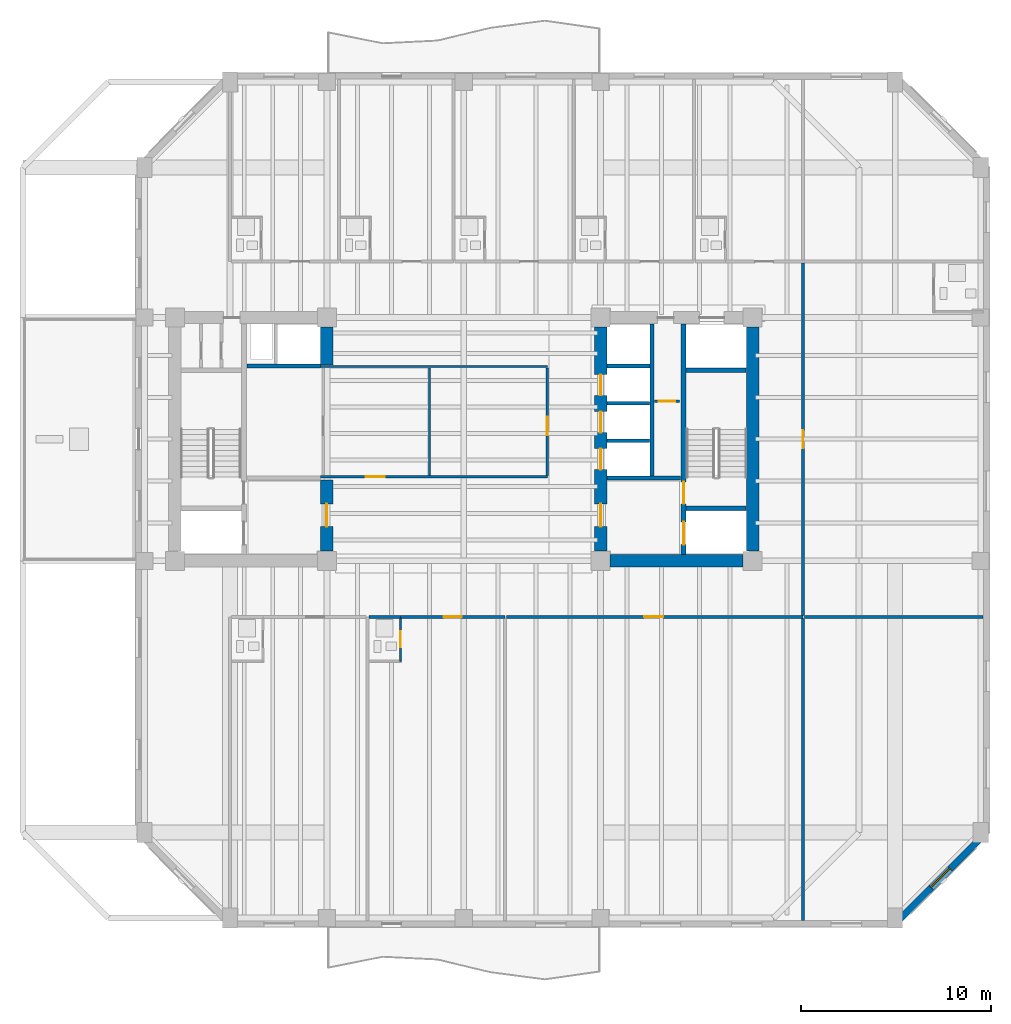
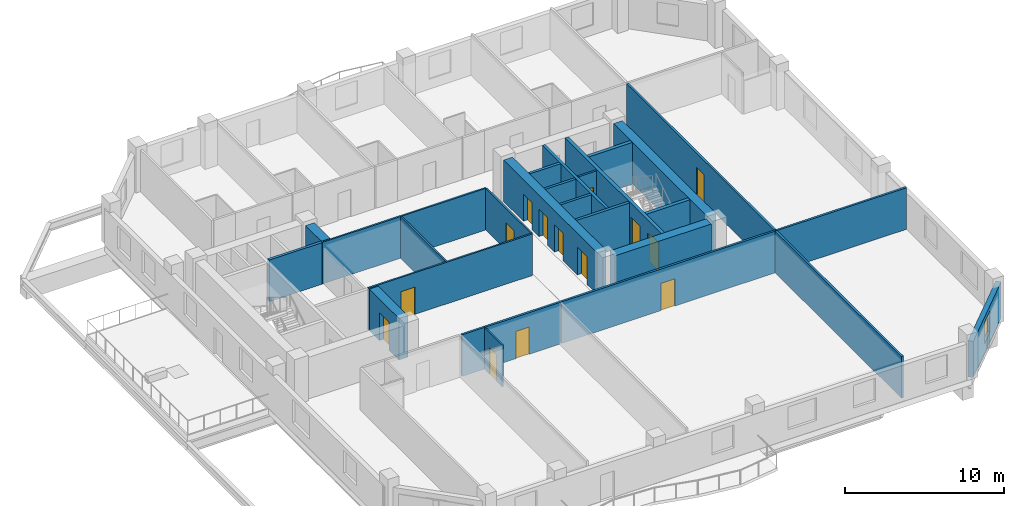
# One storey, part 4 of 11: 27 walls, 14 doors, 1 window, 15 openings.
"""IFC4 building model written with IfcOpenShell, lengths in metres."""

from ifc_helpers import new_model, si_unit, direction, frame, frame_2d, origin, place, context, subcontext, project, spatial, rectangle, extrude, material, layer, layer_set, type_object, element, fill, save


model = new_model("IFC4")

# Units and contexts
model_context = context("Model", 3, precision=1e-05, world=origin(), true_north=direction((0.0, 1.0)))
body_context = subcontext(model_context, "Body", "Model", "MODEL_VIEW")
ifc_project = project(units=[si_unit("LENGTHUNIT", "METRE"), si_unit("AREAUNIT", "SQUARE_METRE"), si_unit("VOLUMEUNIT", "CUBIC_METRE"), si_unit("PLANEANGLEUNIT", "RADIAN"), si_unit("MASSUNIT", "GRAM", prefix="KILO")], contexts=[model_context])

# Site, building, storey
site_placement = place(None, origin())
site = spatial("IfcSite", under=ifc_project, at=site_placement, CompositionType="ELEMENT")
building_placement = place(site_placement, origin())
building = spatial("IfcBuilding", under=site, at=building_placement, Name="Kranthara Brick Stack", CompositionType="ELEMENT")
storey_placement = place(building_placement, frame((0.0, 0.0, 141.300048828125)))
storey = spatial("IfcBuildingStorey", under=building, at=storey_placement, Name="L35", CompositionType="ELEMENT", Elevation=141.300048828125)

# Wall, opening, window
ifc_material_1 = material(Name="Kiln-fired clay brick masonry M15", Category="masonry")
ifc_layer_1 = layer(ifc_material_1, 0.35009765625)
ifc_layer_set_1 = layer_set([ifc_layer_1], Name="Kiln-fired clay brick masonry M15")
wall_type_1 = type_object("IfcWallType", Name="WL-BRK-SPND-350", PredefinedType="STANDARD", material=ifc_layer_set_1)
wall_1_placement = place(storey_placement, frame((55.5048828125, 6.5, 0.0), z_axis=(0.0, 0.0, 1.0), x_axis=(-0.707106781187, -0.707106781187, 0.0)))
wall_1 = element("IfcWall", 1, at=wall_1_placement, inside=storey, type_object=wall_type_1, Name="L35 Exterior Brick Facade Wall SE 1", PredefinedType="STANDARD", context=body_context, shape_type="SweptSolid", body=[
    extrude(rectangle(XDim=6.795166015625, YDim=0.35009765625, at=frame_2d((3.3974609375, 0.0))), origin(), (0.0, 0.0, 1.0), 2.784912109375),
])
opening_1_placement = place(wall_1_placement, frame((2.697998046875, 0.0, 0.75)))
opening_1 = element("IfcOpeningElement", 2, at=opening_1_placement, cuts=wall_1, Name="Opening WN10", PredefinedType="OPENING", context=body_context, shape_type="SweptSolid", body=[
    extrude(rectangle(XDim=1.39990234375, YDim=1.64990234375, at=frame_2d((0.699951171875, 0.824951171875))), frame((0.0, 0.18505859375, 0.0), z_axis=(0.0, -1.0, 0.0), x_axis=(1.0, 0.0, 0.0)), (0.0, 0.0, 1.0), 0.3701171875),
])
ifc_material_2 = material(Name="Double-glazed low-E solar control glass", Category="glass")
window_type = type_object("IfcWindowType", Name="WN-CHM-1400x1750", PartitioningType="SINGLE_PANEL", PredefinedType="WINDOW", material=ifc_material_2)
window_placement = place(opening_1_placement, origin())
window = element("IfcWindow", 3, at=window_placement, inside=storey, type_object=window_type, Name="L35 SE Chamfer Corner Window", OverallHeight=1.64990234375, OverallWidth=1.39990234375, PartitioningType="SINGLE_PANEL", PredefinedType="WINDOW", context=body_context, shape_type="SweptSolid", body=[
    extrude(rectangle(XDim=1.39990234375, YDim=1.64990234375, at=frame_2d((0.699951171875, 0.824951171875))), frame((0.0, -0.010009765625, 0.0), z_axis=(0.0, -1.0, 0.0), x_axis=(1.0, 0.0, 0.0)), (0.0, 0.0, 1.0), 0.06005859375),
])
fill(opening_1, window)

# Wall, openings, doors
ifc_material_3 = material(Name="Concrete C50/60", Category="concrete")
ifc_layer_2 = layer(ifc_material_3, 0.25)
ifc_layer_set_2 = layer_set([ifc_layer_2], Name="Concrete C50/60")
wall_type_2 = type_object("IfcWallType", Name="WL-CORE-250", PredefinedType="SHEAR", material=ifc_layer_set_2)
wall_2_placement = place(storey_placement, frame((39.56494140625, 21.135009765625, 0.0), z_axis=(0.0, 0.0, 1.0), x_axis=(0.0, 1.0, 0.0)))
wall_2 = element("IfcWall", 4, at=wall_2_placement, inside=storey, type_object=wall_type_2, Name="L35 East Core Stair Bearing Spine Wall", PredefinedType="SHEAR", context=body_context, shape_type="SweptSolid", body=[
    extrude(rectangle(XDim=12.1298828125, YDim=0.25, at=frame_2d((6.06494140625, 0.0))), origin(), (0.0, 0.0, 1.0), 3.199951171875),
])
opening_2_placement = place(wall_2_placement, frame((0.514892578125, 0.0, 0.0)))
opening_2 = element("IfcOpeningElement", 5, at=opening_2_placement, cuts=wall_2, Name="Opening LD01", PredefinedType="OPENING", context=body_context, shape_type="SweptSolid", body=[
    extrude(rectangle(XDim=1.199951171875, YDim=2.14990234375, at=frame_2d((0.60009765625, 1.074951171875))), frame((0.0, 0.135009765625, 0.0), z_axis=(0.0, -1.0, 0.0), x_axis=(1.0, 0.0, 0.0)), (0.0, 0.0, 1.0), 0.27001953125),
])
opening_3_placement = place(wall_2_placement, frame((2.6650390625, 0.0, 0.0)))
opening_3 = element("IfcOpeningElement", 6, at=opening_3_placement, cuts=wall_2, Name="Opening D05", PredefinedType="OPENING", context=body_context, shape_type="SweptSolid", body=[
    extrude(rectangle(XDim=1.14990234375, YDim=2.14990234375, at=frame_2d((0.574951171875, 1.074951171875))), frame((0.0, 0.135009765625, 0.0), z_axis=(0.0, -1.0, 0.0), x_axis=(1.0, 0.0, 0.0)), (0.0, 0.0, 1.0), 0.27001953125),
])
ifc_material_4 = material(Name="Stainless steel sliding landing door", Category="steel")
door_type_1 = type_object("IfcDoorType", Name="DR-LD-FF1200", OperationType="DOUBLE_DOOR_SLIDING", PredefinedType="DOOR", material=ifc_material_4)
door_1_placement = place(opening_2_placement, origin())
door_1 = element("IfcDoor", 7, at=door_1_placement, inside=storey, type_object=door_type_1, Name="L35 Firefighting Lift FF-02 Landing Door", OperationType="DOUBLE_DOOR_SLIDING", OverallHeight=2.14990234375, OverallWidth=1.199951171875, PredefinedType="DOOR", context=body_context, shape_type="SweptSolid", body=[
    extrude(rectangle(XDim=1.199951171875, YDim=2.14990234375, at=frame_2d((0.60009765625, 1.074951171875))), frame((0.0, 0.02490234375, 0.0), z_axis=(0.0, -1.0, 0.0), x_axis=(1.0, 0.0, 0.0)), (0.0, 0.0, 1.0), 0.050048828125),
])
fill(opening_2, door_1)
ifc_material_5 = material(Name="Solid-core hardwood timber leaf in steel frame", Category="steel")
door_type_2 = type_object("IfcDoorType", Name="DR-ST-1150", OperationType="NOTDEFINED", PredefinedType="DOOR", material=ifc_material_5)
door_2_placement = place(opening_3_placement, origin())
door_2 = element("IfcDoor", 8, at=door_2_placement, inside=storey, type_object=door_type_2, Name="L35 Exit Stair ST02 Door", OperationType="SINGLE_SWING_LEFT", OverallHeight=2.14990234375, OverallWidth=1.14990234375, PredefinedType="DOOR", context=body_context, shape_type="SweptSolid", body=[
    extrude(rectangle(XDim=1.14990234375, YDim=2.14990234375, at=frame_2d((0.574951171875, 1.074951171875))), frame((0.0, 0.02490234375, 0.0), z_axis=(0.0, -1.0, 0.0), x_axis=(1.0, 0.0, 0.0)), (0.0, 0.0, 1.0), 0.050048828125),
])
fill(opening_3, door_2)

# Walls
for number, where, z_axis, x_axis, name in (
    (9, (39.68994140625, 23.570068359375, 0.0), (0.0, 0.0, 1.0), (1.0, 0.0, 0.0), "L35 East Stairwell Bearing Wall EFF"),
    (10, (39.68994140625, 30.830078125, 0.0), (0.0, 0.0, 1.0), (1.0, 0.0, 0.0), "L35 East Stairwell Bearing Wall EST"),
):
    element("IfcWall", number, at=place(storey_placement, frame(where, z_axis=z_axis, x_axis=x_axis)), inside=storey, type_object=wall_type_2, Name=name, PredefinedType="SHEAR", context=body_context, shape_type="SweptSolid", body=[
        extrude(rectangle(XDim=3.175048828125, YDim=0.25, at=frame_2d((1.58740234375, 0.0))), origin(), (0.0, 0.0, 1.0), 3.199951171875),
    ])

# Wall, opening, door
ifc_material_6 = material(Name="Concrete C60/75", Category="concrete")
ifc_layer_3 = layer(ifc_material_6, 0.64990234375)
ifc_layer_set_3 = layer_set([ifc_layer_3], Name="Concrete C60/75")
wall_type_3 = type_object("IfcWallType", Name="WL-CORE-650", PredefinedType="SHEAR", material=ifc_layer_set_3)
wall_3_placement = place(storey_placement, frame((20.800048828125, 21.304931640625, 0.0), z_axis=(0.0, 0.0, 1.0), x_axis=(0.0, 1.0, 0.0)))
wall_3 = element("IfcWall", 11, at=wall_3_placement, inside=storey, type_object=wall_type_3, Name="L35 West Core Lobby Shear Wall", PredefinedType="SHEAR", context=body_context, shape_type="SweptSolid", body=[
    extrude(rectangle(XDim=3.7451171875, YDim=0.64990234375, at=frame_2d((1.87255859375, 0.0))), origin(), (0.0, 0.0, 1.0), 3.199951171875),
])
opening_4_placement = place(wall_3_placement, frame((1.294921875, 0.0, 0.0)))
opening_4 = element("IfcOpeningElement", 12, at=opening_4_placement, cuts=wall_3, Name="Opening D06", PredefinedType="OPENING", context=body_context, shape_type="SweptSolid", body=[
    extrude(rectangle(XDim=1.199951171875, YDim=2.14990234375, at=frame_2d((0.60009765625, 1.074951171875))), frame((0.0, 0.3349609375, 0.0), z_axis=(0.0, -1.0, 0.0), x_axis=(1.0, 0.0, 0.0)), (0.0, 0.0, 1.0), 0.669921875),
])
ifc_material_7 = material(Name="Solid-core hardwood timber leaf in steel frame", Category="steel")
door_type_3 = type_object("IfcDoorType", Name="DR-FFL-1200", OperationType="NOTDEFINED", PredefinedType="DOOR", material=ifc_material_7)
door_3_placement = place(opening_4_placement, origin())
door_3 = element("IfcDoor", 13, at=door_3_placement, inside=storey, type_object=door_type_3, Name="L35 West Firefighting Lobby Door", OperationType="SINGLE_SWING_LEFT", OverallHeight=2.14990234375, OverallWidth=1.199951171875, PredefinedType="DOOR", context=body_context, shape_type="SweptSolid", body=[
    extrude(rectangle(XDim=1.199951171875, YDim=2.14990234375, at=frame_2d((0.60009765625, 1.074951171875))), frame((0.0, 0.02490234375, 0.0), z_axis=(0.0, -1.0, 0.0), x_axis=(1.0, 0.0, 0.0)), (0.0, 0.0, 1.0), 0.050048828125),
])
fill(opening_4, door_3)

# Walls
wall_4_placement = place(storey_placement, frame((20.800048828125, 31.10009765625, 0.0), z_axis=(0.0, 0.0, 1.0), x_axis=(0.0, 1.0, 0.0)))
element("IfcWall", 14, at=wall_4_placement, inside=storey, type_object=wall_type_3, Name="L35 West Core High-Rise Lift Wall", PredefinedType="SHEAR", context=body_context, shape_type="SweptSolid", body=[
    extrude(rectangle(XDim=1.994873046875, YDim=0.64990234375, at=frame_2d((0.99755859375, 0.0))), origin(), (0.0, 0.0, 1.0), 3.199951171875),
])
wall_5_placement = place(storey_placement, frame((43.199951171875, 21.304931640625, 0.0), z_axis=(0.0, 0.0, 1.0), x_axis=(0.0, 1.0, 0.0)))
element("IfcWall", 15, at=wall_5_placement, inside=storey, type_object=wall_type_3, Name="L35 East Core Shear Wall East", PredefinedType="SHEAR", context=body_context, shape_type="SweptSolid", body=[
    extrude(rectangle(XDim=11.7900390625, YDim=0.64990234375, at=frame_2d((5.89501953125, 0.0))), origin(), (0.0, 0.0, 1.0), 3.199951171875),
])
wall_6_placement = place(storey_placement, frame((35.705078125, 20.800048828125, 0.0), z_axis=(0.0, 0.0, 1.0), x_axis=(1.0, 0.0, 0.0)))
element("IfcWall", 16, at=wall_6_placement, inside=storey, type_object=wall_type_3, Name="L35 East Core Shear Wall South", PredefinedType="SHEAR", context=body_context, shape_type="SweptSolid", body=[
    extrude(rectangle(XDim=6.989990234375, YDim=0.64990234375, at=frame_2d((3.4951171875, 0.0))), origin(), (0.0, 0.0, 1.0), 3.199951171875),
])

# Wall, openings, doors
wall_7_placement = place(storey_placement, frame((35.199951171875, 21.304931640625, 0.0), z_axis=(0.0, 0.0, 1.0), x_axis=(0.0, 1.0, 0.0)))
wall_7 = element("IfcWall", 17, at=wall_7_placement, inside=storey, type_object=wall_type_3, Name="L35 East Core Shear Wall West", PredefinedType="SHEAR", context=body_context, shape_type="SweptSolid", body=[
    extrude(rectangle(XDim=11.7900390625, YDim=0.64990234375, at=frame_2d((5.89501953125, 0.0))), origin(), (0.0, 0.0, 1.0), 3.199951171875),
])
opening_5_placement = place(wall_7_placement, frame((1.294921875, 0.0, 0.0)))
opening_5 = element("IfcOpeningElement", 18, at=opening_5_placement, cuts=wall_7, Name="Opening D06", PredefinedType="OPENING", context=body_context, shape_type="SweptSolid", body=[
    extrude(rectangle(XDim=1.199951171875, YDim=2.14990234375, at=frame_2d((0.60009765625, 1.074951171875))), frame((0.0, 0.3349609375, 0.0), z_axis=(0.0, -1.0, 0.0), x_axis=(1.0, 0.0, 0.0)), (0.0, 0.0, 1.0), 0.669921875),
])
opening_6_placement = place(wall_7_placement, frame((4.294921875, 0.0, 0.0)))
opening_6 = element("IfcOpeningElement", 19, at=opening_6_placement, cuts=wall_7, Name="Opening LD02", PredefinedType="OPENING", context=body_context, shape_type="SweptSolid", body=[
    extrude(rectangle(XDim=1.10009765625, YDim=2.10009765625, at=frame_2d((0.550048828125, 1.050048828125))), frame((0.0, 0.3349609375, 0.0), z_axis=(0.0, -1.0, 0.0), x_axis=(1.0, 0.0, 0.0)), (0.0, 0.0, 1.0), 0.669921875),
])
opening_7_placement = place(wall_7_placement, frame((6.2451171875, 0.0, 0.0)))
opening_7 = element("IfcOpeningElement", 20, at=opening_7_placement, cuts=wall_7, Name="Opening LD02", PredefinedType="OPENING", context=body_context, shape_type="SweptSolid", body=[
    extrude(rectangle(XDim=1.10009765625, YDim=2.10009765625, at=frame_2d((0.550048828125, 1.050048828125))), frame((0.0, 0.3349609375, 0.0), z_axis=(0.0, -1.0, 0.0), x_axis=(1.0, 0.0, 0.0)), (0.0, 0.0, 1.0), 0.669921875),
])
opening_8_placement = place(wall_7_placement, frame((8.195068359375, 0.0, 0.0)))
opening_8 = element("IfcOpeningElement", 21, at=opening_8_placement, cuts=wall_7, Name="Opening LD02", PredefinedType="OPENING", context=body_context, shape_type="SweptSolid", body=[
    extrude(rectangle(XDim=1.10009765625, YDim=2.10009765625, at=frame_2d((0.550048828125, 1.050048828125))), frame((0.0, 0.3349609375, 0.0), z_axis=(0.0, -1.0, 0.0), x_axis=(1.0, 0.0, 0.0)), (0.0, 0.0, 1.0), 0.669921875),
])
door_4_placement = place(opening_5_placement, origin())
door_4 = element("IfcDoor", 22, at=door_4_placement, inside=storey, type_object=door_type_3, Name="L35 East Firefighting Lobby Door", OperationType="SINGLE_SWING_RIGHT", OverallHeight=2.14990234375, OverallWidth=1.199951171875, PredefinedType="DOOR", context=body_context, shape_type="SweptSolid", body=[
    extrude(rectangle(XDim=1.199951171875, YDim=2.14990234375, at=frame_2d((0.60009765625, 1.074951171875))), frame((0.0, 0.02490234375, 0.0), z_axis=(0.0, -1.0, 0.0), x_axis=(1.0, 0.0, 0.0)), (0.0, 0.0, 1.0), 0.050048828125),
])
fill(opening_5, door_4)
ifc_material_8 = material(Name="Stainless steel sliding landing door", Category="steel")
door_type_4 = type_object("IfcDoorType", Name="DR-LD-PL1100", OperationType="DOUBLE_DOOR_SLIDING", PredefinedType="DOOR", material=ifc_material_8)
door_5_placement = place(opening_6_placement, origin())
door_5 = element("IfcDoor", 23, at=door_5_placement, inside=storey, type_object=door_type_4, Name="L35 PL-04 Lift Landing Door", OperationType="DOUBLE_DOOR_SLIDING", OverallHeight=2.10009765625, OverallWidth=1.10009765625, PredefinedType="DOOR", context=body_context, shape_type="SweptSolid", body=[
    extrude(rectangle(XDim=1.10009765625, YDim=2.10009765625, at=frame_2d((0.550048828125, 1.050048828125))), frame((0.0, 0.02490234375, 0.0), z_axis=(0.0, -1.0, 0.0), x_axis=(1.0, 0.0, 0.0)), (0.0, 0.0, 1.0), 0.050048828125),
])
fill(opening_6, door_5)
door_6_placement = place(opening_7_placement, origin())
door_6 = element("IfcDoor", 24, at=door_6_placement, inside=storey, type_object=door_type_4, Name="L35 PL-05 Lift Landing Door", OperationType="DOUBLE_DOOR_SLIDING", OverallHeight=2.10009765625, OverallWidth=1.10009765625, PredefinedType="DOOR", context=body_context, shape_type="SweptSolid", body=[
    extrude(rectangle(XDim=1.10009765625, YDim=2.10009765625, at=frame_2d((0.550048828125, 1.050048828125))), frame((0.0, 0.02490234375, 0.0), z_axis=(0.0, -1.0, 0.0), x_axis=(1.0, 0.0, 0.0)), (0.0, 0.0, 1.0), 0.050048828125),
])
fill(opening_7, door_6)
door_7_placement = place(opening_8_placement, origin())
door_7 = element("IfcDoor", 25, at=door_7_placement, inside=storey, type_object=door_type_4, Name="L35 PL-06 Lift Landing Door", OperationType="DOUBLE_DOOR_SLIDING", OverallHeight=2.10009765625, OverallWidth=1.10009765625, PredefinedType="DOOR", context=body_context, shape_type="SweptSolid", body=[
    extrude(rectangle(XDim=1.10009765625, YDim=2.10009765625, at=frame_2d((0.550048828125, 1.050048828125))), frame((0.0, 0.02490234375, 0.0), z_axis=(0.0, -1.0, 0.0), x_axis=(1.0, 0.0, 0.0)), (0.0, 0.0, 1.0), 0.050048828125),
])
fill(opening_8, door_7)

# Wall, opening, door
ifc_material_9 = material(Name="Moisture-resistant wet-room partition", Category="other")
ifc_layer_4 = layer(ifc_material_9, 0.10009765625)
ifc_layer_set_4 = layer_set([ifc_layer_4], Name="Moisture-resistant wet-room partition")
wall_type_4 = type_object("IfcWallType", Name="WL-PART-100", PredefinedType="PARTITIONING", material=ifc_layer_set_4)
wall_8_placement = place(storey_placement, frame((24.672607421875, 15.52001953125, 0.0), z_axis=(0.0, 0.0, 1.0), x_axis=(0.0, 1.0, 0.0)))
wall_8 = element("IfcWall", 26, at=wall_8_placement, inside=storey, type_object=wall_type_4, Name="L35 Interior Partition 017", PredefinedType="PARTITIONING", context=body_context, shape_type="SweptSolid", body=[
    extrude(rectangle(XDim=2.25, YDim=0.10009765625, at=frame_2d((1.125, 0.0))), origin(), (0.0, 0.0, 1.0), 3.199951171875),
])
opening_9_placement = place(wall_8_placement, frame((0.719970703125, 0.0, 0.0)))
opening_9 = element("IfcOpeningElement", 27, at=opening_9_placement, cuts=wall_8, Name="Opening D17", PredefinedType="OPENING", context=body_context, shape_type="SweptSolid", body=[
    extrude(rectangle(XDim=0.85009765625, YDim=2.050048828125, at=frame_2d((0.425048828125, 1.02490234375))), frame((0.0, 0.06005859375, 0.0), z_axis=(0.0, -1.0, 0.0), x_axis=(1.0, 0.0, 0.0)), (0.0, 0.0, 1.0), 0.1201171875),
])
ifc_material_10 = material(Name="Solid-core hardwood timber leaf in steel frame", Category="steel")
door_type_5 = type_object("IfcDoorType", Name="DR-WET-850", OperationType="NOTDEFINED", PredefinedType="DOOR", material=ifc_material_10)
door_8_placement = place(opening_9_placement, origin())
door_8 = element("IfcDoor", 28, at=door_8_placement, inside=storey, type_object=door_type_5, Name="L35 Key 02 En-Suite Door 09", OperationType="SINGLE_SWING_LEFT", OverallHeight=2.050048828125, OverallWidth=0.85009765625, PredefinedType="DOOR", context=body_context, shape_type="SweptSolid", body=[
    extrude(rectangle(XDim=0.85009765625, YDim=2.050048828125, at=frame_2d((0.425048828125, 1.02490234375))), frame((0.0, 0.02490234375, 0.0), z_axis=(0.0, -1.0, 0.0), x_axis=(1.0, 0.0, 0.0)), (0.0, 0.0, 1.0), 0.050048828125),
])
fill(opening_9, door_8)

ifc_material_11 = material(Name="Acoustic gypsum plasterboard partition", Category="other")
ifc_layer_5 = layer(ifc_material_11, 0.1201171875)
ifc_layer_set_5 = layer_set([ifc_layer_5], Name="Acoustic gypsum plasterboard partition")
wall_type_5 = type_object("IfcWallType", Name="WL-PART-120", PredefinedType="PARTITIONING", material=ifc_layer_set_5)
wall_9_placement = place(storey_placement, frame((20.4599609375, 25.219970703125, 0.0), z_axis=(0.0, 0.0, 1.0), x_axis=(1.0, 0.0, 0.0)))
wall_9 = element("IfcWall", 29, at=wall_9_placement, inside=storey, type_object=wall_type_5, Name="L35 Interior Partition 004", PredefinedType="PARTITIONING", context=body_context, shape_type="SweptSolid", body=[
    extrude(rectangle(XDim=11.93994140625, YDim=0.1201171875, at=frame_2d((5.969970703125, 0.0))), origin(), (0.0, 0.0, 1.0), 3.199951171875),
])
opening_10_placement = place(wall_9_placement, frame((2.389892578125, 0.0, 0.0)))
opening_10 = element("IfcOpeningElement", 30, at=opening_10_placement, cuts=wall_9, Name="Opening D13", PredefinedType="OPENING", context=body_context, shape_type="SweptSolid", body=[
    extrude(rectangle(XDim=1.0, YDim=2.10009765625, at=frame_2d((0.5, 1.050048828125))), frame((0.0, 0.070068359375, 0.0), z_axis=(0.0, -1.0, 0.0), x_axis=(1.0, 0.0, 0.0)), (0.0, 0.0, 1.0), 0.14013671875),
])
ifc_material_12 = material(Name="Solid-core hardwood timber leaf in steel frame", Category="steel")
door_type_6 = type_object("IfcDoorType", Name="DR-INT-1000", OperationType="NOTDEFINED", PredefinedType="DOOR", material=ifc_material_12)
door_9_placement = place(opening_10_placement, origin())
door_9 = element("IfcDoor", 31, at=door_9_placement, inside=storey, type_object=door_type_6, Name="L35 Tea Salon Door 05", OperationType="SINGLE_SWING_LEFT", OverallHeight=2.10009765625, OverallWidth=1.0, PredefinedType="DOOR", context=body_context, shape_type="SweptSolid", body=[
    extrude(rectangle(XDim=1.0, YDim=2.10009765625, at=frame_2d((0.5, 1.050048828125))), frame((0.0, 0.02490234375, 0.0), z_axis=(0.0, -1.0, 0.0), x_axis=(1.0, 0.0, 0.0)), (0.0, 0.0, 1.0), 0.050048828125),
])
fill(opening_10, door_9)

# Wall
wall_10_placement = place(storey_placement, frame((20.4599609375, 31.02001953125, 0.0), z_axis=(0.0, 0.0, 1.0), x_axis=(1.0, 0.0, 0.0)))
element("IfcWall", 32, at=wall_10_placement, inside=storey, type_object=wall_type_5, Name="L35 Interior Partition 005", PredefinedType="PARTITIONING", context=body_context, shape_type="SweptSolid", body=[
    extrude(rectangle(XDim=11.93994140625, YDim=0.1201171875, at=frame_2d((5.969970703125, 0.0))), origin(), (0.0, 0.0, 1.0), 3.199951171875),
])

# Wall, opening, door
wall_11_placement = place(storey_placement, frame((32.39990234375, 25.284912109375, 0.0), z_axis=(0.0, 0.0, 1.0), x_axis=(0.0, 1.0, 0.0)))
wall_11 = element("IfcWall", 33, at=wall_11_placement, inside=storey, type_object=wall_type_5, Name="L35 Interior Partition 006", PredefinedType="PARTITIONING", context=body_context, shape_type="SweptSolid", body=[
    extrude(rectangle(XDim=5.670166015625, YDim=0.1201171875, at=frame_2d((2.8349609375, 0.0))), origin(), (0.0, 0.0, 1.0), 3.199951171875),
])
opening_11_placement = place(wall_11_placement, frame((2.135009765625, 0.0, 0.0)))
opening_11 = element("IfcOpeningElement", 34, at=opening_11_placement, cuts=wall_11, Name="Opening D14", PredefinedType="OPENING", context=body_context, shape_type="SweptSolid", body=[
    extrude(rectangle(XDim=0.949951171875, YDim=2.10009765625, at=frame_2d((0.47509765625, 1.050048828125))), frame((0.0, 0.070068359375, 0.0), z_axis=(0.0, -1.0, 0.0), x_axis=(1.0, 0.0, 0.0)), (0.0, 0.0, 1.0), 0.14013671875),
])
ifc_material_13 = material(Name="Solid-core hardwood timber leaf in steel frame", Category="steel")
door_type_7 = type_object("IfcDoorType", Name="DR-INT-950", OperationType="NOTDEFINED", PredefinedType="DOOR", material=ifc_material_13)
door_10_placement = place(opening_11_placement, origin())
door_10 = element("IfcDoor", 35, at=door_10_placement, inside=storey, type_object=door_type_7, Name="L35 Housekeeping Linen Door 06", OperationType="SINGLE_SWING_RIGHT", OverallHeight=2.10009765625, OverallWidth=0.949951171875, PredefinedType="DOOR", context=body_context, shape_type="SweptSolid", body=[
    extrude(rectangle(XDim=0.949951171875, YDim=2.10009765625, at=frame_2d((0.47509765625, 1.050048828125))), frame((0.0, 0.02490234375, 0.0), z_axis=(0.0, -1.0, 0.0), x_axis=(1.0, 0.0, 0.0)), (0.0, 0.0, 1.0), 0.050048828125),
])
fill(opening_11, door_10)

# Wall
wall_12_placement = place(storey_placement, frame((26.199951171875, 25.284912109375, 0.0), z_axis=(0.0, 0.0, 1.0), x_axis=(0.0, 1.0, 0.0)))
element("IfcWall", 36, at=wall_12_placement, inside=storey, type_object=wall_type_5, Name="L35 Interior Partition 008", PredefinedType="PARTITIONING", context=body_context, shape_type="SweptSolid", body=[
    extrude(rectangle(XDim=5.670166015625, YDim=0.1201171875, at=frame_2d((2.8349609375, 0.0))), origin(), (0.0, 0.0, 1.0), 3.199951171875),
])

# Wall, opening, door
ifc_material_14 = material(Name="Fire-rated gypsum board partition", Category="other")
ifc_layer_6 = layer(ifc_material_14, 0.14990234375)
ifc_layer_set_6 = layer_set([ifc_layer_6], Name="Fire-rated gypsum board partition")
wall_type_6 = type_object("IfcWallType", Name="WL-PART-150", PredefinedType="PARTITIONING", material=ifc_layer_set_6)
wall_13_placement = place(storey_placement, frame((38.050048828125, 29.199951171875, 0.0), z_axis=(0.0, 0.0, 1.0), x_axis=(1.0, 0.0, 0.0)))
wall_13 = element("IfcWall", 37, at=wall_13_placement, inside=storey, type_object=wall_type_6, Name="L35 Interior Partition 003", PredefinedType="PARTITIONING", context=body_context, shape_type="SweptSolid", body=[
    extrude(rectangle(XDim=1.300048828125, YDim=0.14990234375, at=frame_2d((0.64990234375, 0.0))), origin(), (0.0, 0.0, 1.0), 3.199951171875),
])
opening_12_placement = place(wall_13_placement, frame((0.219970703125, 0.0, 0.0)))
opening_12 = element("IfcOpeningElement", 38, at=opening_12_placement, cuts=wall_13, Name="Opening D10", PredefinedType="OPENING", context=body_context, shape_type="SweptSolid", body=[
    extrude(rectangle(XDim=0.85009765625, YDim=2.02001953125, at=frame_2d((0.425048828125, 1.010009765625))), frame((0.0, 0.0849609375, 0.0), z_axis=(0.0, -1.0, 0.0), x_axis=(1.0, 0.0, 0.0)), (0.0, 0.0, 1.0), 0.169921875),
])
ifc_material_15 = material(Name="Solid-core hardwood timber leaf in steel frame", Category="steel")
door_type_8 = type_object("IfcDoorType", Name="DR-RSR-850", OperationType="NOTDEFINED", PredefinedType="DOOR", material=ifc_material_15)
door_11_placement = place(opening_12_placement, origin())
door_11 = element("IfcDoor", 39, at=door_11_placement, inside=storey, type_object=door_type_8, Name="L35 East Service Door 03", OperationType="SINGLE_SWING_LEFT", OverallHeight=2.02001953125, OverallWidth=0.85009765625, PredefinedType="DOOR", context=body_context, shape_type="SweptSolid", body=[
    extrude(rectangle(XDim=0.85009765625, YDim=2.02001953125, at=frame_2d((0.425048828125, 1.010009765625))), frame((0.0, 0.02490234375, 0.0), z_axis=(0.0, -1.0, 0.0), x_axis=(1.0, 0.0, 0.0)), (0.0, 0.0, 1.0), 0.050048828125),
])
fill(opening_12, door_11)

# Wall
wall_14_placement = place(storey_placement, frame((23.01611328125, 17.85009765625, 0.0), z_axis=(0.0, 0.0, 1.0), x_axis=(1.0, 0.0, 0.0)))
element("IfcWall", 40, at=wall_14_placement, inside=storey, type_object=wall_type_6, Name="L35 Interior Partition 015", PredefinedType="PARTITIONING", context=body_context, shape_type="SweptSolid", body=[
    extrude(rectangle(XDim=1.656494140625, YDim=0.14990234375, at=frame_2d((0.828125, 0.0))), origin(), (0.0, 0.0, 1.0), 3.199951171875),
])

# Wall, opening, door
wall_15_placement = place(storey_placement, frame((24.672607421875, 17.85009765625, 0.0), z_axis=(0.0, 0.0, 1.0), x_axis=(1.0, 0.0, 0.0)))
wall_15 = element("IfcWall", 41, at=wall_15_placement, inside=storey, type_object=wall_type_6, Name="L35 Interior Partition 016", PredefinedType="PARTITIONING", context=body_context, shape_type="SweptSolid", body=[
    extrude(rectangle(XDim=5.49951171875, YDim=0.14990234375, at=frame_2d((2.749755859375, 0.0))), origin(), (0.0, 0.0, 1.0), 3.199951171875),
])
opening_13_placement = place(wall_15_placement, frame((2.27001953125, 0.0, 0.0)))
opening_13 = element("IfcOpeningElement", 42, at=opening_13_placement, cuts=wall_15, Name="Opening D09", PredefinedType="OPENING", context=body_context, shape_type="SweptSolid", body=[
    extrude(rectangle(XDim=0.949951171875, YDim=2.10009765625, at=frame_2d((0.47509765625, 1.050048828125))), frame((0.0, 0.0849609375, 0.0), z_axis=(0.0, -1.0, 0.0), x_axis=(1.0, 0.0, 0.0)), (0.0, 0.0, 1.0), 0.169921875),
])
ifc_material_16 = material(Name="Solid-core hardwood timber leaf in steel frame", Category="steel")
door_type_9 = type_object("IfcDoorType", Name="DR-FD-950", OperationType="NOTDEFINED", PredefinedType="DOOR", material=ifc_material_16)
door_12_placement = place(opening_13_placement, origin())
door_12 = element("IfcDoor", 43, at=door_12_placement, inside=storey, type_object=door_type_9, Name="L35 Key 02 Entry 10", OperationType="SINGLE_SWING_RIGHT", OverallHeight=2.10009765625, OverallWidth=0.949951171875, PredefinedType="DOOR", context=body_context, shape_type="SweptSolid", body=[
    extrude(rectangle(XDim=0.949951171875, YDim=2.10009765625, at=frame_2d((0.47509765625, 1.050048828125))), frame((0.0, 0.02490234375, 0.0), z_axis=(0.0, -1.0, 0.0), x_axis=(1.0, 0.0, 0.0)), (0.0, 0.0, 1.0), 0.050048828125),
])
fill(opening_13, door_12)

wall_16_placement = place(storey_placement, frame((30.251953125, 17.85009765625, 0.0), z_axis=(0.0, 0.0, 1.0), x_axis=(1.0, 0.0, 0.0)))
wall_16 = element("IfcWall", 44, at=wall_16_placement, inside=storey, type_object=wall_type_6, Name="L35 Interior Partition 020", PredefinedType="PARTITIONING", context=body_context, shape_type="SweptSolid", body=[
    extrude(rectangle(XDim=15.59814453125, YDim=0.14990234375, at=frame_2d((7.799072265625, 0.0))), origin(), (0.0, 0.0, 1.0), 3.199951171875),
])
opening_14_placement = place(wall_16_placement, frame((7.239013671875, 0.0, 0.0)))
opening_14 = element("IfcOpeningElement", 45, at=opening_14_placement, cuts=wall_16, Name="Opening D08", PredefinedType="OPENING", context=body_context, shape_type="SweptSolid", body=[
    extrude(rectangle(XDim=1.0, YDim=2.10009765625, at=frame_2d((0.5, 1.050048828125))), frame((0.0, 0.0849609375, 0.0), z_axis=(0.0, -1.0, 0.0), x_axis=(1.0, 0.0, 0.0)), (0.0, 0.0, 1.0), 0.169921875),
])
ifc_material_17 = material(Name="Solid-core hardwood timber leaf in steel frame", Category="steel")
door_type_10 = type_object("IfcDoorType", Name="DR-FD-1000", OperationType="NOTDEFINED", PredefinedType="DOOR", material=ifc_material_17)
door_13_placement = place(opening_14_placement, origin())
door_13 = element("IfcDoor", 46, at=door_13_placement, inside=storey, type_object=door_type_10, Name="L35 Guest Lounge 11", OperationType="SINGLE_SWING_LEFT", OverallHeight=2.10009765625, OverallWidth=1.0, PredefinedType="DOOR", context=body_context, shape_type="SweptSolid", body=[
    extrude(rectangle(XDim=1.0, YDim=2.10009765625, at=frame_2d((0.5, 1.050048828125))), frame((0.0, 0.02490234375, 0.0), z_axis=(0.0, -1.0, 0.0), x_axis=(1.0, 0.0, 0.0)), (0.0, 0.0, 1.0), 0.050048828125),
])
fill(opening_14, door_13)

# Walls
wall_17_placement = place(storey_placement, frame((45.85009765625, 1.875, 0.0), z_axis=(0.0, 0.0, 1.0), x_axis=(0.0, 1.0, 0.0)))
element("IfcWall", 47, at=wall_17_placement, inside=storey, type_object=wall_type_6, Name="L35 Interior Partition 021", PredefinedType="PARTITIONING", context=body_context, shape_type="SweptSolid", body=[
    extrude(rectangle(XDim=15.89501953125, YDim=0.14990234375, at=frame_2d((7.947509765625, 0.0))), origin(), (0.0, 0.0, 1.0), 3.199951171875),
])
wall_18_placement = place(storey_placement, frame((45.929931640625, 17.85009765625, 0.0), z_axis=(0.0, 0.0, 1.0), x_axis=(1.0, 0.0, 0.0)))
element("IfcWall", 48, at=wall_18_placement, inside=storey, type_object=wall_type_6, Name="L35 Interior Partition 048", PredefinedType="PARTITIONING", context=body_context, shape_type="SweptSolid", body=[
    extrude(rectangle(XDim=9.39501953125, YDim=0.14990234375, at=frame_2d((4.697509765625, 0.0))), origin(), (0.0, 0.0, 1.0), 3.199951171875),
])

# Wall, opening, door
wall_19_placement = place(storey_placement, frame((45.85009765625, 17.929931640625, 0.0), z_axis=(0.0, 0.0, 1.0), x_axis=(0.0, 1.0, 0.0)))
wall_19 = element("IfcWall", 49, at=wall_19_placement, inside=storey, type_object=wall_type_6, Name="L35 Interior Partition 050", PredefinedType="PARTITIONING", context=body_context, shape_type="SweptSolid", body=[
    extrude(rectangle(XDim=18.5400390625, YDim=0.14990234375, at=frame_2d((9.27001953125, 0.0))), origin(), (0.0, 0.0, 1.0), 3.199951171875),
])
opening_15_placement = place(wall_19_placement, frame((8.7900390625, 0.0, 0.0)))
opening_15 = element("IfcOpeningElement", 50, at=opening_15_placement, cuts=wall_19, Name="Opening D09", PredefinedType="OPENING", context=body_context, shape_type="SweptSolid", body=[
    extrude(rectangle(XDim=0.949951171875, YDim=2.10009765625, at=frame_2d((0.47509765625, 1.050048828125))), frame((0.0, 0.0849609375, 0.0), z_axis=(0.0, -1.0, 0.0), x_axis=(1.0, 0.0, 0.0)), (0.0, 0.0, 1.0), 0.169921875),
])
door_14_placement = place(opening_15_placement, origin())
door_14 = element("IfcDoor", 51, at=door_14_placement, inside=storey, type_object=door_type_9, Name="L35 East Key 9 23", OperationType="SINGLE_SWING_LEFT", OverallHeight=2.10009765625, OverallWidth=0.949951171875, PredefinedType="DOOR", context=body_context, shape_type="SweptSolid", body=[
    extrude(rectangle(XDim=0.949951171875, YDim=2.10009765625, at=frame_2d((0.47509765625, 1.050048828125))), frame((0.0, 0.02490234375, 0.0), z_axis=(0.0, -1.0, 0.0), x_axis=(1.0, 0.0, 0.0)), (0.0, 0.0, 1.0), 0.050048828125),
])
fill(opening_15, door_14)

# Walls
ifc_material_18 = material(Name="Gypsum plasterboard on acoustic twin stud", Category="other")
ifc_layer_7 = layer(ifc_material_18, 0.179931640625)
ifc_layer_set_7 = layer_set([ifc_layer_7], Name="Gypsum plasterboard on acoustic twin stud")
wall_type_7 = type_object("IfcWallType", Name="WL-PART-180", PredefinedType="PARTITIONING", material=ifc_layer_set_7)
for number, where, z_axis, x_axis, name in (
    (52, (35.534912109375, 27.1201171875, 0.0), (0.0, 0.0, 1.0), (1.0, 0.0, 0.0), "L35 East Hoistway Wall EH1"),
    (53, (35.534912109375, 29.080078125, 0.0), (0.0, 0.0, 1.0), (1.0, 0.0, 0.0), "L35 East Hoistway Wall EH2"),
):
    element("IfcWall", number, at=place(storey_placement, frame(where, z_axis=z_axis, x_axis=x_axis)), inside=storey, type_object=wall_type_7, Name=name, PredefinedType="PARTITIONING", context=body_context, shape_type="SweptSolid", body=[
        extrude(rectangle(XDim=2.2451171875, YDim=0.179931640625, at=frame_2d((1.12255859375, 0.0))), origin(), (0.0, 0.0, 1.0), 3.199951171875),
    ])
ifc_material_19 = material(Name="Concrete C40/50", Category="concrete")
ifc_layer_8 = layer(ifc_material_19, 0.199951171875)
ifc_layer_set_8 = layer_set([ifc_layer_8], Name="Concrete C40/50")
wall_type_8 = type_object("IfcWallType", Name="WL-PART-200", PredefinedType="SOLIDWALL", material=ifc_layer_set_8)
wall_20_placement = place(storey_placement, frame((16.60009765625, 31.050048828125, 0.0), z_axis=(0.0, 0.0, 1.0), x_axis=(1.0, 0.0, 0.0)))
element("IfcWall", 54, at=wall_20_placement, inside=storey, type_object=wall_type_8, Name="L35 West Core Cross Wall WH4", PredefinedType="SOLIDWALL", context=body_context, shape_type="SweptSolid", body=[
    extrude(rectangle(XDim=3.849853515625, YDim=0.199951171875, at=frame_2d((1.9248046875, 0.0))), origin(), (0.0, 0.0, 1.0), 3.199951171875),
])
wall_21_placement = place(storey_placement, frame((35.534912109375, 25.14990234375, 0.0), z_axis=(0.0, 0.0, 1.0), x_axis=(1.0, 0.0, 0.0)))
element("IfcWall", 55, at=wall_21_placement, inside=storey, type_object=wall_type_8, Name="L35 East Core Cross Wall EFL", PredefinedType="SOLIDWALL", context=body_context, shape_type="SweptSolid", body=[
    extrude(rectangle(XDim=3.864990234375, YDim=0.199951171875, at=frame_2d((1.9326171875, 0.0))), origin(), (0.0, 0.0, 1.0), 3.199951171875),
])
wall_22_placement = place(storey_placement, frame((35.550048828125, 31.050048828125, 0.0), z_axis=(0.0, 0.0, 1.0), x_axis=(1.0, 0.0, 0.0)))
element("IfcWall", 56, at=wall_22_placement, inside=storey, type_object=wall_type_8, Name="L35 East Core Cross Wall EE4", PredefinedType="SOLIDWALL", context=body_context, shape_type="SweptSolid", body=[
    extrude(rectangle(XDim=2.25, YDim=0.199951171875, at=frame_2d((1.125, 0.0))), origin(), (0.0, 0.0, 1.0), 3.199951171875),
])
wall_23_placement = place(storey_placement, frame((37.89990234375, 25.27001953125, 0.0), z_axis=(0.0, 0.0, 1.0), x_axis=(0.0, 1.0, 0.0)))
element("IfcWall", 57, at=wall_23_placement, inside=storey, type_object=wall_type_8, Name="L35 East Core Cross Wall ESV", PredefinedType="SOLIDWALL", context=body_context, shape_type="SweptSolid", body=[
    extrude(rectangle(XDim=7.994873046875, YDim=0.199951171875, at=frame_2d((3.99755859375, 0.0))), origin(), (0.0, 0.0, 1.0), 3.199951171875),
])

save(model, "model.ifc")
